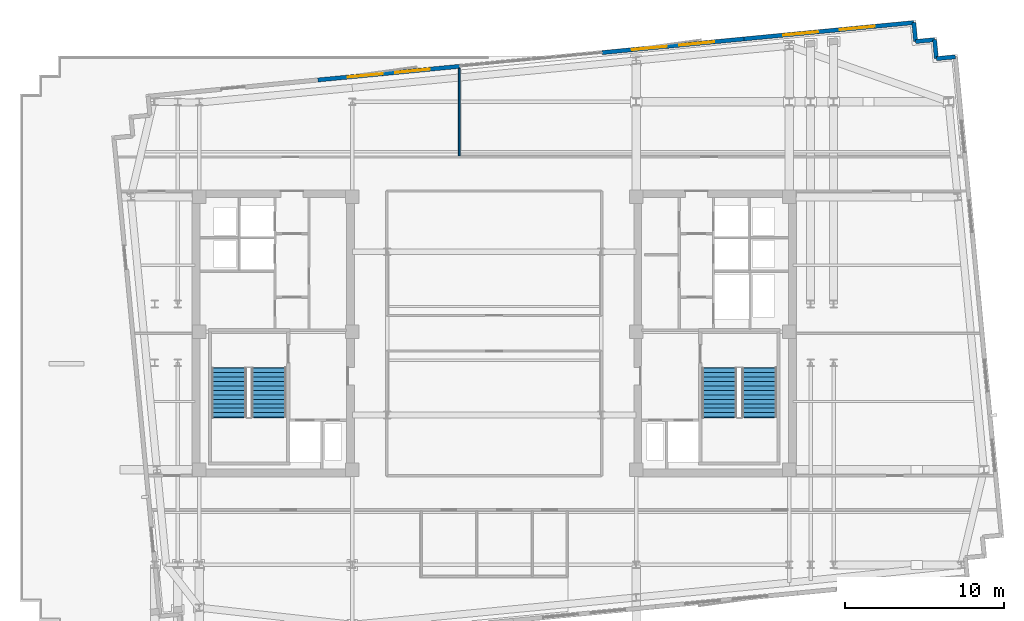
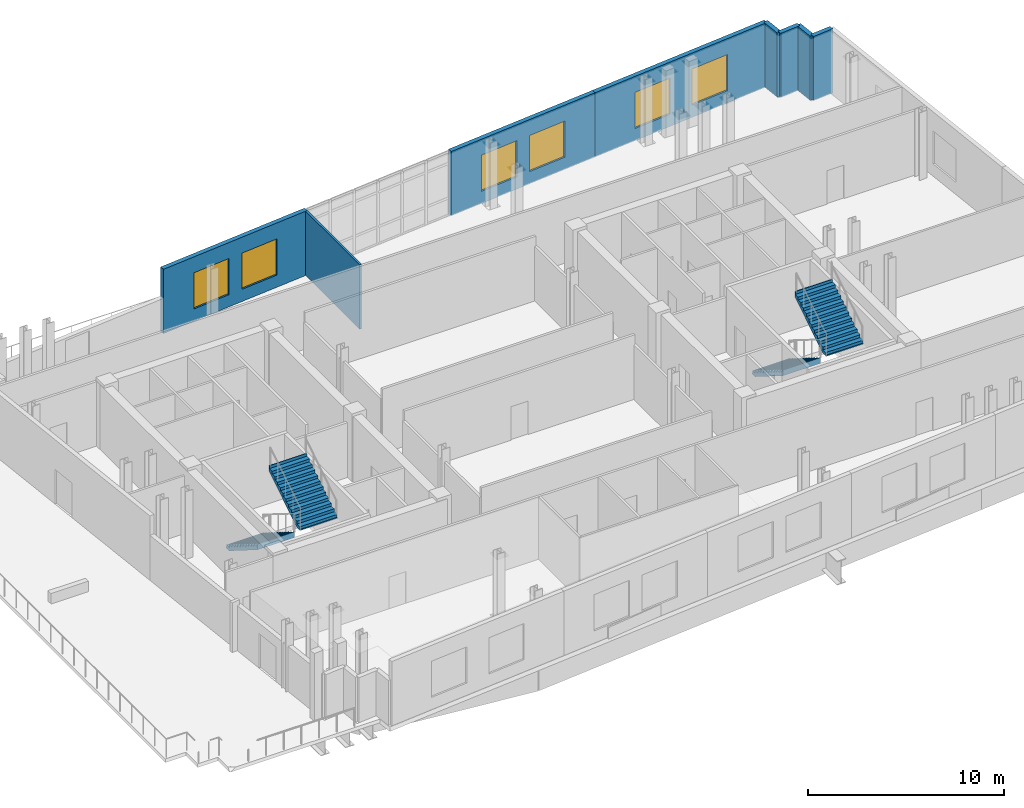
# One storey, part 8 of 11: 8 walls, 6 windows, 4 stair flights, 6 openings, 2 elements without a shape of their own.
"""IFC4 building model written with IfcOpenShell, lengths in metres."""

from ifc_helpers import new_model, si_unit, direction, frame, frame_2d, origin, place, context, subcontext, project, spatial, polyline, rectangle, outline, extrude, material, layer, layer_set, type_object, element, fill, aggregate, save


model = new_model("IFC4")

# Units and contexts
model_context = context("Model", 3, precision=1e-05, world=origin(), true_north=direction((0.0, 1.0)))
body_context = subcontext(model_context, "Body", "Model", "MODEL_VIEW")
ifc_project = project(units=[si_unit("LENGTHUNIT", "METRE"), si_unit("AREAUNIT", "SQUARE_METRE"), si_unit("VOLUMEUNIT", "CUBIC_METRE"), si_unit("PLANEANGLEUNIT", "RADIAN"), si_unit("MASSUNIT", "GRAM", prefix="KILO")], contexts=[model_context])

# Site, building, storey
site_placement = place(None, origin())
site = spatial("IfcSite", under=ifc_project, at=site_placement, CompositionType="ELEMENT")
building_placement = place(site_placement, origin())
building = spatial("IfcBuilding", under=site, at=building_placement, Name="Velakula Bourse", CompositionType="ELEMENT")
storey_placement = place(building_placement, frame((0.0, 0.0, 247.5)))
storey = spatial("IfcBuildingStorey", under=building, at=storey_placement, Name="L67", CompositionType="ELEMENT", Elevation=247.5)

# Wall, openings, windows
ifc_material_1 = material(Name="Buff kilned clay facing brick masonry", Category="masonry")
ifc_layer_1 = layer(ifc_material_1, 0.260009765625, Name="Buff kilned clay facing brick masonry", Category="masonry")
ifc_layer_set_1 = layer_set([ifc_layer_1], Name="Buff kilned clay facing brick masonry")
wall_type_1 = type_object("IfcWallType", Name="WL-EXT-BRK-260", PredefinedType="STANDARD", material=ifc_layer_set_1)
wall_1_placement = place(storey_placement, frame((-11.119873046875, 15.975341796875, 0.0), z_axis=(0.0, 0.0, 1.0), x_axis=(0.995396794462, 0.09583956164, 0.0)))
wall_1 = element("IfcWall", 1, at=wall_1_placement, inside=storey, type_object=wall_type_1, Name="L67 N Brick Spandrel Wall B2", PredefinedType="STANDARD", context=body_context, shape_type="SweptSolid", body=[
    extrude(rectangle(XDim=9.0, YDim=0.260009765625, at=frame_2d((4.5, 0.0))), origin(), (0.0, 0.0, 1.0), 4.0),
])
opening_1_placement = place(wall_1_placement, frame((1.89990234375, 0.0, 0.760009765625)))
opening_1 = element("IfcOpeningElement", 2, at=opening_1_placement, cuts=wall_1, Name="Opening W-08", PredefinedType="OPENING", context=body_context, shape_type="SweptSolid", body=[
    extrude(rectangle(XDim=2.199951171875, YDim=2.25, at=frame_2d((1.10009765625, 1.125))), frame((0.0, 0.139892578125, 0.0), z_axis=(0.0, -1.0, 0.0), x_axis=(1.0, 0.0, 0.0)), (0.0, 0.0, 1.0), 0.280029296875),
])
opening_2_placement = place(wall_1_placement, frame((4.89990234375, 0.0, 0.760009765625)))
opening_2 = element("IfcOpeningElement", 3, at=opening_2_placement, cuts=wall_1, Name="Opening W-08", PredefinedType="OPENING", context=body_context, shape_type="SweptSolid", body=[
    extrude(rectangle(XDim=2.199951171875, YDim=2.25, at=frame_2d((1.10009765625, 1.125))), frame((0.0, 0.139892578125, 0.0), z_axis=(0.0, -1.0, 0.0), x_axis=(1.0, 0.0, 0.0)), (0.0, 0.0, 1.0), 0.280029296875),
])
ifc_material_2 = material(Name="Double-glazed solar-control Low-E glass", Category="glass")
window_type = type_object("IfcWindowType", Name="WIN-SL-2200x2500", PartitioningType="DOUBLE_PANEL_VERTICAL", PredefinedType="WINDOW", material=ifc_material_2)
window_1_placement = place(opening_1_placement, origin())
window_1 = element("IfcWindow", 4, at=window_1_placement, inside=storey, type_object=window_type, Name="L67 Deep-Set Recessed Window 1", OverallHeight=2.25, OverallWidth=2.199951171875, PartitioningType="DOUBLE_PANEL_VERTICAL", PredefinedType="WINDOW", context=body_context, shape_type="SweptSolid", body=[
    extrude(rectangle(XDim=2.199951171875, YDim=2.25, at=frame_2d((1.10009765625, 1.125))), frame((0.0, 0.030029296875, 0.0), z_axis=(0.0, -1.0, 0.0), x_axis=(1.0, 0.0, 0.0)), (0.0, 0.0, 1.0), 0.06005859375),
])
fill(opening_1, window_1)
window_2_placement = place(opening_2_placement, origin())
window_2 = element("IfcWindow", 5, at=window_2_placement, inside=storey, type_object=window_type, Name="L67 Deep-Set Recessed Window 2", OverallHeight=2.25, OverallWidth=2.199951171875, PartitioningType="DOUBLE_PANEL_VERTICAL", PredefinedType="WINDOW", context=body_context, shape_type="SweptSolid", body=[
    extrude(rectangle(XDim=2.199951171875, YDim=2.25, at=frame_2d((1.10009765625, 1.125))), frame((0.0, 0.030029296875, 0.0), z_axis=(0.0, -1.0, 0.0), x_axis=(1.0, 0.0, 0.0)), (0.0, 0.0, 1.0), 0.06005859375),
])
fill(opening_2, window_2)

wall_2_placement = place(storey_placement, frame((6.797119140625, 17.700439453125, 0.0), z_axis=(0.0, 0.0, 1.0), x_axis=(0.995394455533, 0.09586385082, 0.0)))
wall_2 = element("IfcWall", 6, at=wall_2_placement, inside=storey, type_object=wall_type_1, Name="L67 N Brick Spandrel Wall B4", PredefinedType="STANDARD", context=body_context, shape_type="SweptSolid", body=[
    extrude(rectangle(XDim=9.000244140625, YDim=0.260009765625, at=frame_2d((4.5, 0.0))), origin(), (0.0, 0.0, 1.0), 4.0),
])
opening_3_placement = place(wall_2_placement, frame((1.89990234375, 0.0, 0.760009765625)))
opening_3 = element("IfcOpeningElement", 7, at=opening_3_placement, cuts=wall_2, Name="Opening W-08", PredefinedType="OPENING", context=body_context, shape_type="SweptSolid", body=[
    extrude(rectangle(XDim=2.199951171875, YDim=2.25, at=frame_2d((1.10009765625, 1.125))), frame((0.0, 0.139892578125, 0.0), z_axis=(0.0, -1.0, 0.0), x_axis=(1.0, 0.0, 0.0)), (0.0, 0.0, 1.0), 0.280029296875),
])
opening_4_placement = place(wall_2_placement, frame((4.89990234375, 0.0, 0.760009765625)))
opening_4 = element("IfcOpeningElement", 8, at=opening_4_placement, cuts=wall_2, Name="Opening W-08", PredefinedType="OPENING", context=body_context, shape_type="SweptSolid", body=[
    extrude(rectangle(XDim=2.199951171875, YDim=2.25, at=frame_2d((1.10009765625, 1.125))), frame((0.0, 0.139892578125, 0.0), z_axis=(0.0, -1.0, 0.0), x_axis=(1.0, 0.0, 0.0)), (0.0, 0.0, 1.0), 0.280029296875),
])
window_3_placement = place(opening_3_placement, origin())
window_3 = element("IfcWindow", 9, at=window_3_placement, inside=storey, type_object=window_type, Name="L67 Deep-Set Recessed Window 1", OverallHeight=2.25, OverallWidth=2.199951171875, PartitioningType="DOUBLE_PANEL_VERTICAL", PredefinedType="WINDOW", context=body_context, shape_type="SweptSolid", body=[
    extrude(rectangle(XDim=2.199951171875, YDim=2.25, at=frame_2d((1.10009765625, 1.125))), frame((0.0, 0.030029296875, 0.0), z_axis=(0.0, -1.0, 0.0), x_axis=(1.0, 0.0, 0.0)), (0.0, 0.0, 1.0), 0.06005859375),
])
fill(opening_3, window_3)
window_4_placement = place(opening_4_placement, origin())
window_4 = element("IfcWindow", 10, at=window_4_placement, inside=storey, type_object=window_type, Name="L67 Deep-Set Recessed Window 2", OverallHeight=2.25, OverallWidth=2.199951171875, PartitioningType="DOUBLE_PANEL_VERTICAL", PredefinedType="WINDOW", context=body_context, shape_type="SweptSolid", body=[
    extrude(rectangle(XDim=2.199951171875, YDim=2.25, at=frame_2d((1.10009765625, 1.125))), frame((0.0, 0.030029296875, 0.0), z_axis=(0.0, -1.0, 0.0), x_axis=(1.0, 0.0, 0.0)), (0.0, 0.0, 1.0), 0.06005859375),
])
fill(opening_4, window_4)

wall_3_placement = place(storey_placement, frame((15.755859375, 18.563232421875, 0.0), z_axis=(0.0, 0.0, 1.0), x_axis=(0.995396745868, 0.095840066339, 0.0)))
wall_3 = element("IfcWall", 11, at=wall_3_placement, inside=storey, type_object=wall_type_1, Name="L67 N Brick Spandrel Wall B5", PredefinedType="STANDARD", context=body_context, shape_type="SweptSolid", body=[
    extrude(rectangle(XDim=10.75, YDim=0.260009765625, at=frame_2d((5.375, 0.0))), origin(), (0.0, 0.0, 1.0), 4.0),
])
opening_5_placement = place(wall_3_placement, frame((2.4833984375, 0.0, 0.760009765625)))
opening_5 = element("IfcOpeningElement", 12, at=opening_5_placement, cuts=wall_3, Name="Opening W-08", PredefinedType="OPENING", context=body_context, shape_type="SweptSolid", body=[
    extrude(rectangle(XDim=2.199951171875, YDim=2.25, at=frame_2d((1.10009765625, 1.125))), frame((0.0, 0.139892578125, 0.0), z_axis=(0.0, -1.0, 0.0), x_axis=(1.0, 0.0, 0.0)), (0.0, 0.0, 1.0), 0.280029296875),
])
opening_6_placement = place(wall_3_placement, frame((6.066650390625, 0.0, 0.760009765625)))
opening_6 = element("IfcOpeningElement", 13, at=opening_6_placement, cuts=wall_3, Name="Opening W-08", PredefinedType="OPENING", context=body_context, shape_type="SweptSolid", body=[
    extrude(rectangle(XDim=2.199951171875, YDim=2.25, at=frame_2d((1.10009765625, 1.125))), frame((0.0, 0.139892578125, 0.0), z_axis=(0.0, -1.0, 0.0), x_axis=(1.0, 0.0, 0.0)), (0.0, 0.0, 1.0), 0.280029296875),
])
window_5_placement = place(opening_5_placement, origin())
window_5 = element("IfcWindow", 14, at=window_5_placement, inside=storey, type_object=window_type, Name="L67 Deep-Set Recessed Window 1", OverallHeight=2.25, OverallWidth=2.199951171875, PartitioningType="DOUBLE_PANEL_VERTICAL", PredefinedType="WINDOW", context=body_context, shape_type="SweptSolid", body=[
    extrude(rectangle(XDim=2.199951171875, YDim=2.25, at=frame_2d((1.10009765625, 1.125))), frame((0.0, 0.030029296875, 0.0), z_axis=(0.0, -1.0, 0.0), x_axis=(1.0, 0.0, 0.0)), (0.0, 0.0, 1.0), 0.06005859375),
])
fill(opening_5, window_5)
window_6_placement = place(opening_6_placement, origin())
window_6 = element("IfcWindow", 15, at=window_6_placement, inside=storey, type_object=window_type, Name="L67 Deep-Set Recessed Window 2", OverallHeight=2.25, OverallWidth=2.199951171875, PartitioningType="DOUBLE_PANEL_VERTICAL", PredefinedType="WINDOW", context=body_context, shape_type="SweptSolid", body=[
    extrude(rectangle(XDim=2.199951171875, YDim=2.25, at=frame_2d((1.10009765625, 1.125))), frame((0.0, 0.030029296875, 0.0), z_axis=(0.0, -1.0, 0.0), x_axis=(1.0, 0.0, 0.0)), (0.0, 0.0, 1.0), 0.06005859375),
])
fill(opening_6, window_6)

# Walls
for number, where, z_axis, x_axis, name in (
    (16, (29.0751953125, 17.4345703125, 0.0), (0.0, 0.0, 1.0), (-0.995397091755, -0.095836473879, 0.0), "L67 Serrated Corner Brick Wall NE-1"),
    (17, (27.880859375, 17.319580078125, 0.0), (0.0, 0.0, 1.0), (-0.095836473879, 0.995397091755, 0.0), "L67 Serrated Corner Brick Wall NE-2"),
):
    element("IfcWall", number, at=place(storey_placement, frame(where, z_axis=z_axis, x_axis=x_axis)), inside=storey, type_object=wall_type_1, Name=name, PredefinedType="STANDARD", context=body_context, shape_type="SweptSolid", body=[
        extrude(rectangle(XDim=1.199951171875, YDim=0.260009765625, at=frame_2d((0.60009765625, 0.0))), origin(), (0.0, 0.0, 1.0), 4.0),
    ])
for number, where, z_axis, x_axis, name in (
    (18, (27.765869140625, 18.513916015625, 0.0), (0.0, 0.0, 1.0), (-0.995398960025, -0.095817067274, 0.0), "L67 Serrated Corner Brick Wall NE-3"),
    (19, (26.5712890625, 18.39892578125, 0.0), (0.0, 0.0, 1.0), (-0.095817067274, 0.995398960025, 0.0), "L67 Serrated Corner Brick Wall NE-4"),
):
    element("IfcWall", number, at=place(storey_placement, frame(where, z_axis=z_axis, x_axis=x_axis)), inside=storey, type_object=wall_type_1, Name=name, PredefinedType="STANDARD", context=body_context, shape_type="SweptSolid", body=[
        extrude(rectangle(XDim=1.2001953125, YDim=0.260009765625, at=frame_2d((0.60009765625, 0.0))), origin(), (0.0, 0.0, 1.0), 4.0),
    ])
ifc_material_3 = material(Name="Fire-rated double-layer gypsum drywall partition", Category="gypsum")
ifc_layer_2 = layer(ifc_material_3, 0.1201171875, Name="Fire-rated double-layer gypsum drywall partition", Category="gypsum")
ifc_layer_set_2 = layer_set([ifc_layer_2], Name="Fire-rated double-layer gypsum drywall partition")
wall_type_2 = type_object("IfcWallType", Name="WL-PART-120", PredefinedType="STANDARD", material=ifc_layer_set_2)
wall_4_placement = place(storey_placement, frame((-2.202880859375, 11.18994140625, 0.0), z_axis=(0.0, 0.0, 1.0), x_axis=(0.0, 1.0, 0.0)))
element("IfcWall", 20, at=wall_4_placement, inside=storey, type_object=wall_type_2, Name="L67 Interior Partition WL-INT-L67-N-D1", PredefinedType="STANDARD", context=body_context, shape_type="SweptSolid", body=[
    extrude(rectangle(XDim=5.513427734375, YDim=0.1201171875, at=frame_2d((2.7568359375, 0.0))), origin(), (0.0, 0.0, 1.0), 4.0),
])

# Stair, stair flights
ifc_material_4 = material(Name="Concrete M45 (fck 45 MPa)", Category="concrete")
stair_type = type_object("IfcStairType", Name="STR-DOG-435", PredefinedType="HALF_TURN_STAIR", material=ifc_material_4)
stair_1_placement = place(storey_placement, origin())
stair_1 = element("IfcStair", 21, at=stair_1_placement, inside=storey, type_object=stair_type, Name="L67 West Core Exit Stair ST-W1", PredefinedType="HALF_TURN_STAIR")
ifc_layer_3 = layer(ifc_material_4, 0.199951171875, Name="Concrete M45 (fck 45 MPa)", Category="concrete")
ifc_layer_set_3 = layer_set([ifc_layer_3], Name="Concrete M45 (fck 45 MPa)")
stair_flight_type = type_object("IfcStairFlightType", Name="FLT-DOG-435", PredefinedType="STRAIGHT", material=ifc_layer_set_3)
stair_flight_1_placement = place(storey_placement, frame((-16.720947265625, -2.199951171875, 0.0), z_axis=(0.0, 0.0, 1.0), x_axis=(0.0, -1.0, 0.0)))
stair_flight_1 = element("IfcStairFlight", 22, at=stair_flight_1_placement, type_object=stair_flight_type, Name="ST-W1 flight 1", NumberOfRisers=12, NumberOfTreads=11, PredefinedType="STRAIGHT", RiserHeight=0.175, TreadLength=0.28, context=body_context, shape_type="SweptSolid", body=[
    extrude(outline(polyline([(-0.044921875, -0.0400390625), (-0.044921875, -0.036865234375), (-0.044921875, -0.033935546875), (-0.044921875, -0.03076171875), (-0.044921875, -0.027587890625), (-0.044921875, -0.024658203125), (-0.044921875, -0.021484375), (-0.044921875, -0.0185546875), (-0.044921875, -0.015380859375), (-0.044921875, -0.01220703125), (-0.044921875, -0.00927734375), (-0.044921875, -0.006103515625), (-0.044921875, -0.003173828125), (-0.044921875, 0.0), (0.0, 0.0), (0.0, 0.175048828125), (0.280029296875, 0.175048828125), (0.280029296875, 0.35009765625), (0.56005859375, 0.35009765625), (0.56005859375, 0.52490234375), (0.840087890625, 0.52490234375), (0.840087890625, 0.699951171875), (1.1201171875, 0.699951171875), (1.1201171875, 0.875), (1.39990234375, 0.875), (1.39990234375, 1.050048828125), (1.679931640625, 1.050048828125), (1.679931640625, 1.22509765625), (1.9599609375, 1.22509765625), (1.9599609375, 1.39990234375), (2.239990234375, 1.39990234375), (2.239990234375, 1.574951171875), (2.52001953125, 1.574951171875), (2.52001953125, 1.75), (2.800048828125, 1.75), (2.800048828125, 1.925048828125), (3.080078125, 1.925048828125), (3.080078125, 2.10009765625), (3.125, 2.10009765625), (3.125, 2.074951171875), (3.125, 2.0498046875), (3.125, 2.024658203125), (3.125, 1.99951171875), (3.125, 1.974365234375), (3.125, 1.94921875), (3.125, 1.924072265625), (3.125, 1.89892578125), (3.125, 1.873779296875), (3.125, 1.8486328125), (3.125, 1.823486328125), (3.125, 1.798583984375), (3.125, 1.7734375), (3.125, 1.748291015625), (0.28271484375, -0.0400390625), (-0.044921875, -0.0400390625)])), frame((0.0, 1.09912109375, 0.0), z_axis=(0.0, -1.0, 0.0), x_axis=(1.0, 0.0, 0.0)), (0.0, 0.0, 1.0), 2.197998046875),
])
stair_flight_2_placement = place(storey_placement, frame((-14.198974609375, -5.280029296875, 2.10009765625), z_axis=(0.0, 0.0, 1.0), x_axis=(0.0, 1.0, 0.0)))
stair_flight_2 = element("IfcStairFlight", 23, at=stair_flight_2_placement, type_object=stair_flight_type, Name="ST-W1 flight 2", NumberOfRisers=12, NumberOfTreads=11, PredefinedType="STRAIGHT", RiserHeight=0.175, TreadLength=0.28, context=body_context, shape_type="SweptSolid", body=[
    extrude(outline(polyline([(-0.044921875, -0.0400390625), (-0.044921875, -0.036865234375), (-0.044921875, -0.033935546875), (-0.044921875, -0.03076171875), (-0.044921875, -0.027587890625), (-0.044921875, -0.024658203125), (-0.044921875, -0.021484375), (-0.044921875, -0.0185546875), (-0.044921875, -0.015380859375), (-0.044921875, -0.01220703125), (-0.044921875, -0.00927734375), (-0.044921875, -0.006103515625), (-0.044921875, -0.003173828125), (-0.044921875, 0.0), (0.0, 0.0), (0.0, 0.175048828125), (0.280029296875, 0.175048828125), (0.280029296875, 0.35009765625), (0.56005859375, 0.35009765625), (0.56005859375, 0.52490234375), (0.840087890625, 0.52490234375), (0.840087890625, 0.699951171875), (1.1201171875, 0.699951171875), (1.1201171875, 0.875), (1.39990234375, 0.875), (1.39990234375, 1.050048828125), (1.679931640625, 1.050048828125), (1.679931640625, 1.22509765625), (1.9599609375, 1.22509765625), (1.9599609375, 1.39990234375), (2.239990234375, 1.39990234375), (2.239990234375, 1.574951171875), (2.52001953125, 1.574951171875), (2.52001953125, 1.75), (2.800048828125, 1.75), (2.800048828125, 1.925048828125), (3.080078125, 1.925048828125), (3.080078125, 2.10009765625), (3.125, 2.10009765625), (3.125, 2.074951171875), (3.125, 2.0498046875), (3.125, 2.024658203125), (3.125, 1.99951171875), (3.125, 1.974365234375), (3.125, 1.94921875), (3.125, 1.924072265625), (3.125, 1.89892578125), (3.125, 1.873779296875), (3.125, 1.8486328125), (3.125, 1.823486328125), (3.125, 1.798583984375), (3.125, 1.7734375), (3.125, 1.748291015625), (0.28271484375, -0.0400390625), (-0.044921875, -0.0400390625)])), frame((0.0, 1.09912109375, 0.0), z_axis=(0.0, -1.0, 0.0), x_axis=(1.0, 0.0, 0.0)), (0.0, 0.0, 1.0), 2.197998046875),
])
aggregate(stair_1, [stair_flight_1, stair_flight_2])

stair_2_placement = place(storey_placement, origin())
stair_2 = element("IfcStair", 24, at=stair_2_placement, inside=storey, type_object=stair_type, Name="L67 East Core Exit Stair ST-E1", PredefinedType="HALF_TURN_STAIR")
stair_flight_3_placement = place(storey_placement, frame((14.198974609375, -2.199951171875, 0.0), z_axis=(0.0, 0.0, 1.0), x_axis=(0.0, -1.0, 0.0)))
stair_flight_3 = element("IfcStairFlight", 25, at=stair_flight_3_placement, type_object=stair_flight_type, Name="ST-E1 flight 1", NumberOfRisers=12, NumberOfTreads=11, PredefinedType="STRAIGHT", RiserHeight=0.175, TreadLength=0.28, context=body_context, shape_type="SweptSolid", body=[
    extrude(outline(polyline([(-0.044921875, -0.0400390625), (-0.044921875, -0.036865234375), (-0.044921875, -0.033935546875), (-0.044921875, -0.03076171875), (-0.044921875, -0.027587890625), (-0.044921875, -0.024658203125), (-0.044921875, -0.021484375), (-0.044921875, -0.0185546875), (-0.044921875, -0.015380859375), (-0.044921875, -0.01220703125), (-0.044921875, -0.00927734375), (-0.044921875, -0.006103515625), (-0.044921875, -0.003173828125), (-0.044921875, 0.0), (0.0, 0.0), (0.0, 0.175048828125), (0.280029296875, 0.175048828125), (0.280029296875, 0.35009765625), (0.56005859375, 0.35009765625), (0.56005859375, 0.52490234375), (0.840087890625, 0.52490234375), (0.840087890625, 0.699951171875), (1.1201171875, 0.699951171875), (1.1201171875, 0.875), (1.39990234375, 0.875), (1.39990234375, 1.050048828125), (1.679931640625, 1.050048828125), (1.679931640625, 1.22509765625), (1.9599609375, 1.22509765625), (1.9599609375, 1.39990234375), (2.239990234375, 1.39990234375), (2.239990234375, 1.574951171875), (2.52001953125, 1.574951171875), (2.52001953125, 1.75), (2.800048828125, 1.75), (2.800048828125, 1.925048828125), (3.080078125, 1.925048828125), (3.080078125, 2.10009765625), (3.125, 2.10009765625), (3.125, 2.074951171875), (3.125, 2.0498046875), (3.125, 2.024658203125), (3.125, 1.99951171875), (3.125, 1.974365234375), (3.125, 1.94921875), (3.125, 1.924072265625), (3.125, 1.89892578125), (3.125, 1.873779296875), (3.125, 1.8486328125), (3.125, 1.823486328125), (3.125, 1.798583984375), (3.125, 1.7734375), (3.125, 1.748291015625), (0.28271484375, -0.0400390625), (-0.044921875, -0.0400390625)])), frame((0.0, 1.09912109375, 0.0), z_axis=(0.0, -1.0, 0.0), x_axis=(1.0, 0.0, 0.0)), (0.0, 0.0, 1.0), 2.197998046875),
])
stair_flight_4_placement = place(storey_placement, frame((16.720947265625, -5.280029296875, 2.10009765625), z_axis=(0.0, 0.0, 1.0), x_axis=(0.0, 1.0, 0.0)))
stair_flight_4 = element("IfcStairFlight", 26, at=stair_flight_4_placement, type_object=stair_flight_type, Name="ST-E1 flight 2", NumberOfRisers=12, NumberOfTreads=11, PredefinedType="STRAIGHT", RiserHeight=0.175, TreadLength=0.28, context=body_context, shape_type="SweptSolid", body=[
    extrude(outline(polyline([(-0.044921875, -0.0400390625), (-0.044921875, -0.036865234375), (-0.044921875, -0.033935546875), (-0.044921875, -0.03076171875), (-0.044921875, -0.027587890625), (-0.044921875, -0.024658203125), (-0.044921875, -0.021484375), (-0.044921875, -0.0185546875), (-0.044921875, -0.015380859375), (-0.044921875, -0.01220703125), (-0.044921875, -0.00927734375), (-0.044921875, -0.006103515625), (-0.044921875, -0.003173828125), (-0.044921875, 0.0), (0.0, 0.0), (0.0, 0.175048828125), (0.280029296875, 0.175048828125), (0.280029296875, 0.35009765625), (0.56005859375, 0.35009765625), (0.56005859375, 0.52490234375), (0.840087890625, 0.52490234375), (0.840087890625, 0.699951171875), (1.1201171875, 0.699951171875), (1.1201171875, 0.875), (1.39990234375, 0.875), (1.39990234375, 1.050048828125), (1.679931640625, 1.050048828125), (1.679931640625, 1.22509765625), (1.9599609375, 1.22509765625), (1.9599609375, 1.39990234375), (2.239990234375, 1.39990234375), (2.239990234375, 1.574951171875), (2.52001953125, 1.574951171875), (2.52001953125, 1.75), (2.800048828125, 1.75), (2.800048828125, 1.925048828125), (3.080078125, 1.925048828125), (3.080078125, 2.10009765625), (3.125, 2.10009765625), (3.125, 2.074951171875), (3.125, 2.0498046875), (3.125, 2.024658203125), (3.125, 1.99951171875), (3.125, 1.974365234375), (3.125, 1.94921875), (3.125, 1.924072265625), (3.125, 1.89892578125), (3.125, 1.873779296875), (3.125, 1.8486328125), (3.125, 1.823486328125), (3.125, 1.798583984375), (3.125, 1.7734375), (3.125, 1.748291015625), (0.28271484375, -0.0400390625), (-0.044921875, -0.0400390625)])), frame((0.0, 1.09912109375, 0.0), z_axis=(0.0, -1.0, 0.0), x_axis=(1.0, 0.0, 0.0)), (0.0, 0.0, 1.0), 2.197998046875),
])
aggregate(stair_2, [stair_flight_3, stair_flight_4])

save(model, "model.ifc")
